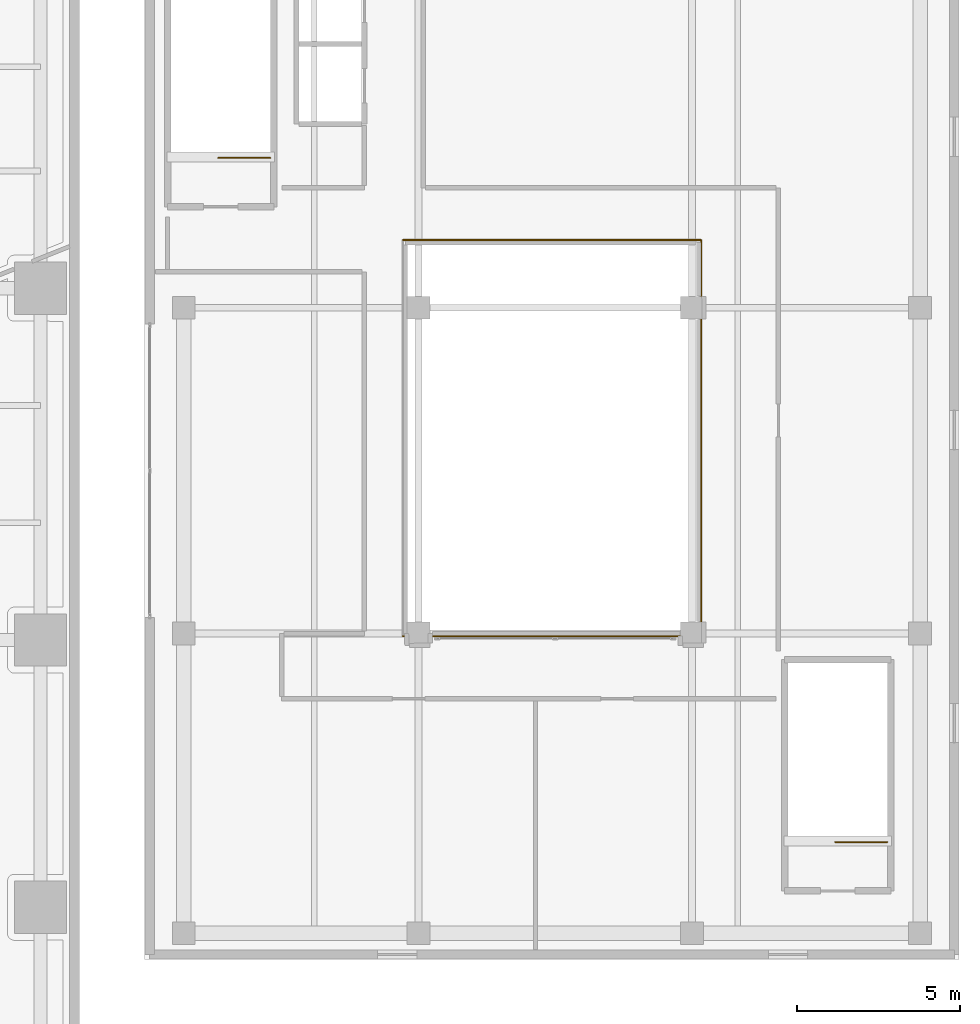
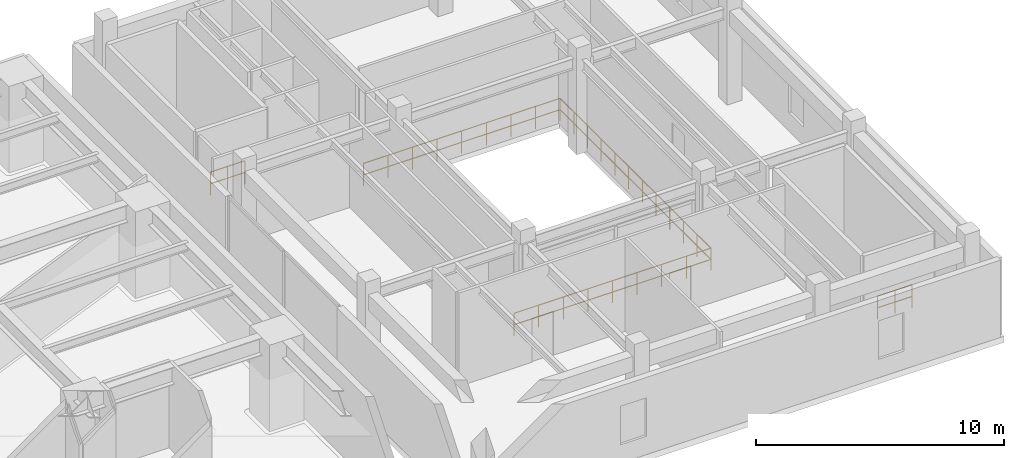
# One storey, part 25 of 25: 5 railings.
"""IFC4 building model written with IfcOpenShell, lengths in metres."""

from ifc_helpers import new_model, si_unit, direction, frame, origin, origin_2d, place, context, subcontext, project, spatial, circle, extrude, material, type_object, element, save


model = new_model("IFC4")

# Units and contexts
model_context = context("Model", 3, precision=1e-05, world=origin(), true_north=direction((0.0, 1.0)))
body_context = subcontext(model_context, "Body", "Model", "MODEL_VIEW")
ifc_project = project(units=[si_unit("LENGTHUNIT", "METRE"), si_unit("AREAUNIT", "SQUARE_METRE"), si_unit("VOLUMEUNIT", "CUBIC_METRE"), si_unit("PLANEANGLEUNIT", "RADIAN"), si_unit("MASSUNIT", "GRAM", prefix="KILO")], contexts=[model_context])

# Site, building, storey
site_placement = place(None, origin())
site = spatial("IfcSite", under=ifc_project, at=site_placement, CompositionType="ELEMENT")
building_placement = place(site_placement, origin())
building = spatial("IfcBuilding", under=site, at=building_placement, Name="Talar Marvaseh", CompositionType="ELEMENT")
storey_placement = place(building_placement, frame((0.0, 0.0, 14.39990234375)))
storey = spatial("IfcBuildingStorey", under=building, at=storey_placement, Name="L03", CompositionType="ELEMENT", Elevation=14.39990234375)

# Railings
ifc_material_1 = material(Name="Tempered Clear Glass", Category="glass")
railing_type_1 = type_object("IfcRailingType", Name="Interior Atrium Edge Balustrade 1120", PredefinedType="BALUSTRADE", material=ifc_material_1)
railing_1_placement = place(storey_placement, frame((61.919921875, 25.919921875, 0.0)))
element("IfcRailing", 1, at=railing_1_placement, inside=storey, type_object=railing_type_1, Name="L03 Market Courtyard Void Balustrade 1", PredefinedType="BALUSTRADE", context=body_context, shape_type="SweptSolid", body=[
    extrude(circle(Radius=0.02392578125, at=origin_2d()), frame((0.0, 0.0, 1.09619140625), z_axis=(1.0, 0.0, 0.0), x_axis=(0.0, 1.0, 0.0)), (0.0, 0.0, 1.0), 9.16015625),
    extrude(circle(Radius=0.02392578125, at=origin_2d()), frame((0.0, 0.0, 0.5361328125), z_axis=(1.0, 0.0, 0.0), x_axis=(0.0, 1.0, 0.0)), (0.0, 0.0, 1.0), 9.16015625),
    extrude(circle(Radius=0.02099609375, at=origin_2d()), origin(), (0.0, 0.0, 1.0), 1.072021484375),
    extrude(circle(Radius=0.02099609375, at=origin_2d()), frame((1.14501953125, 0.0, 0.0)), (0.0, 0.0, 1.0), 1.072021484375),
    extrude(circle(Radius=0.02099609375, at=origin_2d()), frame((2.2900390625, 0.0, 0.0)), (0.0, 0.0, 1.0), 1.072021484375),
    extrude(circle(Radius=0.02099609375, at=origin_2d()), frame((3.43505859375, 0.0, 0.0)), (0.0, 0.0, 1.0), 1.072021484375),
    extrude(circle(Radius=0.02099609375, at=origin_2d()), frame((4.580078125, 0.0, 0.0)), (0.0, 0.0, 1.0), 1.072021484375),
    extrude(circle(Radius=0.02099609375, at=origin_2d()), frame((5.72509765625, 0.0, 0.0)), (0.0, 0.0, 1.0), 1.072021484375),
    extrude(circle(Radius=0.02099609375, at=origin_2d()), frame((6.8701171875, 0.0, 0.0)), (0.0, 0.0, 1.0), 1.072021484375),
    extrude(circle(Radius=0.02099609375, at=origin_2d()), frame((8.01513671875, 0.0, 0.0)), (0.0, 0.0, 1.0), 1.072021484375),
    extrude(circle(Radius=0.02099609375, at=origin_2d()), frame((9.16015625, 0.0, 0.0)), (0.0, 0.0, 1.0), 1.072021484375),
])
railing_2_placement = place(storey_placement, frame((71.080078125, 25.919921875, 0.0)))
element("IfcRailing", 2, at=railing_2_placement, inside=storey, type_object=railing_type_1, Name="L03 Market Courtyard Void Balustrade 2", PredefinedType="BALUSTRADE", context=body_context, shape_type="SweptSolid", body=[
    extrude(circle(Radius=0.02392578125, at=origin_2d()), frame((0.0, 0.0, 1.09619140625), z_axis=(0.0, 1.0, 0.0), x_axis=(-1.0, 0.0, 0.0)), (0.0, 0.0, 1.0), 12.16015625),
    extrude(circle(Radius=0.02392578125, at=origin_2d()), frame((0.0, 0.0, 0.5361328125), z_axis=(0.0, 1.0, 0.0), x_axis=(-1.0, 0.0, 0.0)), (0.0, 0.0, 1.0), 12.16015625),
    extrude(circle(Radius=0.02099609375, at=origin_2d()), origin(), (0.0, 0.0, 1.0), 1.072021484375),
    extrude(circle(Radius=0.02099609375, at=origin_2d()), frame((0.0, 1.10546875, 0.0)), (0.0, 0.0, 1.0), 1.072021484375),
    extrude(circle(Radius=0.02099609375, at=origin_2d()), frame((0.0, 2.2109375, 0.0)), (0.0, 0.0, 1.0), 1.072021484375),
    extrude(circle(Radius=0.02099609375, at=origin_2d()), frame((0.0, 3.31640625, 0.0)), (0.0, 0.0, 1.0), 1.072021484375),
    extrude(circle(Radius=0.02099609375, at=origin_2d()), frame((0.0, 4.421875, 0.0)), (0.0, 0.0, 1.0), 1.072021484375),
    extrude(circle(Radius=0.02099609375, at=origin_2d()), frame((0.0, 5.52734375, 0.0)), (0.0, 0.0, 1.0), 1.072021484375),
    extrude(circle(Radius=0.02099609375, at=origin_2d()), frame((0.0, 6.6328125, 0.0)), (0.0, 0.0, 1.0), 1.072021484375),
    extrude(circle(Radius=0.02099609375, at=origin_2d()), frame((0.0, 7.73828125, 0.0)), (0.0, 0.0, 1.0), 1.072021484375),
    extrude(circle(Radius=0.02099609375, at=origin_2d()), frame((0.0, 8.84375, 0.0)), (0.0, 0.0, 1.0), 1.072021484375),
    extrude(circle(Radius=0.02099609375, at=origin_2d()), frame((0.0, 9.94921875, 0.0)), (0.0, 0.0, 1.0), 1.072021484375),
    extrude(circle(Radius=0.02099609375, at=origin_2d()), frame((0.0, 11.0546875, 0.0)), (0.0, 0.0, 1.0), 1.072021484375),
    extrude(circle(Radius=0.02099609375, at=origin_2d()), frame((0.0, 12.16015625, 0.0)), (0.0, 0.0, 1.0), 1.072021484375),
])
railing_3_placement = place(storey_placement, frame((71.080078125, 38.080078125, 0.0)))
element("IfcRailing", 3, at=railing_3_placement, inside=storey, type_object=railing_type_1, Name="L03 Market Courtyard Void Balustrade 3", PredefinedType="BALUSTRADE", context=body_context, shape_type="SweptSolid", body=[
    extrude(circle(Radius=0.02392578125, at=origin_2d()), frame((0.0, 0.0, 1.09619140625), z_axis=(-1.0, 0.0, 0.0), x_axis=(0.0, -1.0, 0.0)), (0.0, 0.0, 1.0), 9.16015625),
    extrude(circle(Radius=0.02392578125, at=origin_2d()), frame((0.0, 0.0, 0.5361328125), z_axis=(-1.0, 0.0, 0.0), x_axis=(0.0, -1.0, 0.0)), (0.0, 0.0, 1.0), 9.16015625),
    extrude(circle(Radius=0.02099609375, at=origin_2d()), origin(), (0.0, 0.0, 1.0), 1.072021484375),
    extrude(circle(Radius=0.02099609375, at=origin_2d()), frame((-1.14501953125, 0.0, 0.0)), (0.0, 0.0, 1.0), 1.072021484375),
    extrude(circle(Radius=0.02099609375, at=origin_2d()), frame((-2.2900390625, 0.0, 0.0)), (0.0, 0.0, 1.0), 1.072021484375),
    extrude(circle(Radius=0.02099609375, at=origin_2d()), frame((-3.43505859375, 0.0, 0.0)), (0.0, 0.0, 1.0), 1.072021484375),
    extrude(circle(Radius=0.02099609375, at=origin_2d()), frame((-4.580078125, 0.0, 0.0)), (0.0, 0.0, 1.0), 1.072021484375),
    extrude(circle(Radius=0.02099609375, at=origin_2d()), frame((-5.72509765625, 0.0, 0.0)), (0.0, 0.0, 1.0), 1.072021484375),
    extrude(circle(Radius=0.02099609375, at=origin_2d()), frame((-6.8701171875, 0.0, 0.0)), (0.0, 0.0, 1.0), 1.072021484375),
    extrude(circle(Radius=0.02099609375, at=origin_2d()), frame((-8.01513671875, 0.0, 0.0)), (0.0, 0.0, 1.0), 1.072021484375),
    extrude(circle(Radius=0.02099609375, at=origin_2d()), frame((-9.16015625, 0.0, 0.0)), (0.0, 0.0, 1.0), 1.072021484375),
])
ifc_material_2 = material(Name="Stainless Steel Grade 316", Category="steel")
railing_type_2 = type_object("IfcRailingType", Name="Painted Steel Core Stair Well Guardrail 1150", PredefinedType="GUARDRAIL", material=ifc_material_2)
for number, where, name in (
    (4, (57.860107421875, 40.60009765625, 0.0), "L03 MH-ST1 top well guard 1"),
    (5, (76.800048828125, 19.60009765625, 0.0), "L03 MH-ST2 top well guard 1"),
):
    element("IfcRailing", number, at=place(storey_placement, frame(where)), inside=storey, type_object=railing_type_2, Name=name, PredefinedType="GUARDRAIL", context=body_context, shape_type="SweptSolid", body=[
        extrude(circle(Radius=0.02392578125, at=origin_2d()), frame((0.0, 0.0, 1.1259765625), z_axis=(-1.0, 0.0, 0.0), x_axis=(0.0, -1.0, 0.0)), (0.0, 0.0, 1.0), 1.610107421875),
        extrude(circle(Radius=0.02392578125, at=origin_2d()), frame((0.0, 0.0, 0.55078125), z_axis=(-1.0, 0.0, 0.0), x_axis=(0.0, -1.0, 0.0)), (0.0, 0.0, 1.0), 1.610107421875),
        extrude(circle(Radius=0.02099609375, at=origin_2d()), origin(), (0.0, 0.0, 1.0), 1.101806640625),
        extrude(circle(Radius=0.02099609375, at=origin_2d()), frame((-0.80517578125, 0.0, 0.0)), (0.0, 0.0, 1.0), 1.101806640625),
        extrude(circle(Radius=0.02099609375, at=origin_2d()), frame((-1.610107421875, 0.0, 0.0)), (0.0, 0.0, 1.0), 1.101806640625),
    ])

save(model, "model.ifc")
